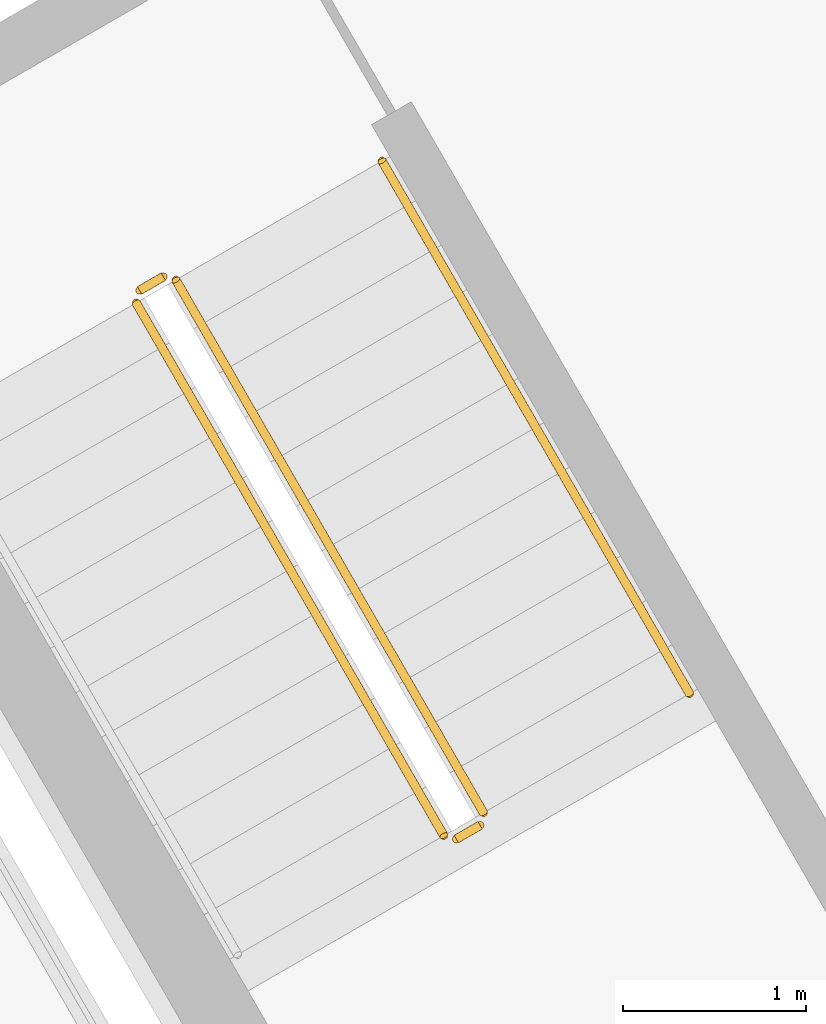
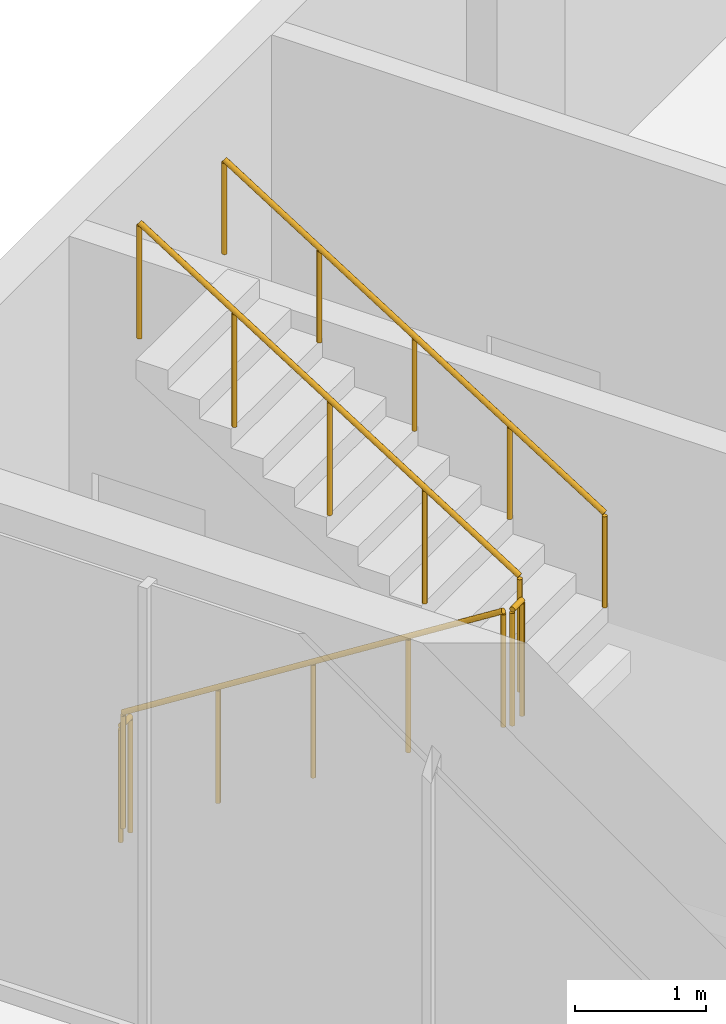
# One storey, part 26 of 29: 5 railings.
"""IFC4 building model written with IfcOpenShell, lengths in metres."""

from ifc_helpers import new_model, si_unit, direction, frame, origin, origin_2d, place, context, subcontext, project, spatial, circle, extrude, material, type_object, element, save


model = new_model("IFC4")

# Units and contexts
model_context = context("Model", 3, precision=1e-05, world=origin(), true_north=direction((0.0, 1.0)))
body_context = subcontext(model_context, "Body", "Model", "MODEL_VIEW")
ifc_project = project(units=[si_unit("LENGTHUNIT", "METRE"), si_unit("AREAUNIT", "SQUARE_METRE"), si_unit("VOLUMEUNIT", "CUBIC_METRE"), si_unit("PLANEANGLEUNIT", "RADIAN"), si_unit("MASSUNIT", "GRAM", prefix="KILO")], contexts=[model_context])

# Site, building, storey
site_placement = place(None, origin())
site = spatial("IfcSite", under=ifc_project, at=site_placement, CompositionType="ELEMENT")
building_placement = place(site_placement, origin())
building = spatial("IfcBuilding", under=site, at=building_placement, Name="Firuza Gate Tower and Library", CompositionType="ELEMENT")
storey_placement = place(building_placement, frame((0.0, 0.0, 17.199951171875)))
storey = spatial("IfcBuildingStorey", under=building, at=storey_placement, Name="L03", CompositionType="ELEMENT", Elevation=17.199951171875)

# Railings
ifc_material_1 = material(Name="Steel S355", Category="steel")
railing_type_1 = type_object("IfcRailingType", Name="LIB GUARD", PredefinedType="GUARDRAIL", material=ifc_material_1)
railing_1_placement = place(storey_placement, frame((82.298583984375, 108.427734375, 0.177001953125)))
element("IfcRailing", 1, at=railing_1_placement, inside=storey, type_object=railing_type_1, Name="L03 LIB-ST-A stair guard 1", PredefinedType="GUARDRAIL", context=body_context, shape_type="SweptSolid", body=[
    extrude(circle(Radius=0.02392578125, at=origin_2d()), frame((0.0, 0.0, 1.076171875), z_axis=(0.422671638265, -0.732135337376, 0.534159652137), x_axis=(0.866039179741, 0.499976138585, 0.0)), (0.0, 0.0, 1.0), 3.974609375),
    extrude(circle(Radius=0.02099609375, at=origin_2d()), origin(), (0.0, 0.0, 1.0), 1.052001953125),
    extrude(circle(Radius=0.02099609375, at=origin_2d()), frame((0.419921875, -0.7275390625, 0.53076171875)), (0.0, 0.0, 1.0), 1.052001953125),
    extrude(circle(Radius=0.02099609375, at=origin_2d()), frame((0.83984375, -1.455078125, 1.0615234375)), (0.0, 0.0, 1.0), 1.052001953125),
    extrude(circle(Radius=0.02099609375, at=origin_2d()), frame((1.260009765625, -2.182373046875, 1.59228515625)), (0.0, 0.0, 1.0), 1.052001953125),
    extrude(circle(Radius=0.02099609375, at=origin_2d()), frame((1.679931640625, -2.909912109375, 2.123046875)), (0.0, 0.0, 1.0), 1.052001953125),
])
railing_2_placement = place(storey_placement, frame((84.046875, 105.49951171875, 2.300048828125)))
element("IfcRailing", 2, at=railing_2_placement, inside=storey, type_object=railing_type_1, Name="L03 LIB-ST-A stair guard 2", PredefinedType="GUARDRAIL", context=body_context, shape_type="SweptSolid", body=[
    extrude(circle(Radius=0.02392578125, at=origin_2d()), frame((0.0, 0.0, 1.076171875), z_axis=(0.865426285481, 0.501036270542, 0.0), x_axis=(-0.501036270542, 0.865426285481, 0.0)), (0.0, 0.0, 1.0), 0.150146484375),
    extrude(circle(Radius=0.02099609375, at=origin_2d()), origin(), (0.0, 0.0, 1.0), 1.052001953125),
    extrude(circle(Radius=0.02099609375, at=origin_2d()), frame((0.1298828125, 0.0751953125, 0.0)), (0.0, 0.0, 1.0), 1.052001953125),
])
railing_3_placement = place(storey_placement, frame((84.195068359375, 105.642822265625, 2.47705078125)))
element("IfcRailing", 3, at=railing_3_placement, inside=storey, type_object=railing_type_1, Name="L03 LIB-ST-A stair guard 3", PredefinedType="GUARDRAIL", context=body_context, shape_type="SweptSolid", body=[
    extrude(circle(Radius=0.02392578125, at=origin_2d()), frame((0.0, 0.0, 1.076171875), z_axis=(-0.422671638265, 0.732135337376, 0.534159652137), x_axis=(-0.866039179741, -0.499976138585, 0.0)), (0.0, 0.0, 1.0), 3.974609375),
    extrude(circle(Radius=0.02099609375, at=origin_2d()), origin(), (0.0, 0.0, 1.0), 1.052001953125),
    extrude(circle(Radius=0.02099609375, at=origin_2d()), frame((-0.419921875, 0.7275390625, 0.53076171875)), (0.0, 0.0, 1.0), 1.052001953125),
    extrude(circle(Radius=0.02099609375, at=origin_2d()), frame((-0.83984375, 1.455078125, 1.0615234375)), (0.0, 0.0, 1.0), 1.052001953125),
    extrude(circle(Radius=0.02099609375, at=origin_2d()), frame((-1.260009765625, 2.182373046875, 1.59228515625)), (0.0, 0.0, 1.0), 1.052001953125),
    extrude(circle(Radius=0.02099609375, at=origin_2d()), frame((-1.679931640625, 2.909912109375, 2.123046875)), (0.0, 0.0, 1.0), 1.052001953125),
])
railing_4_placement = place(storey_placement, frame((82.31689453125, 108.49609375, 0.0)))
element("IfcRailing", 4, at=railing_4_placement, inside=storey, type_object=railing_type_1, Name="L03 LIB-ST-A stair guard 4", PredefinedType="GUARDRAIL", context=body_context, shape_type="SweptSolid", body=[
    extrude(circle(Radius=0.02392578125, at=origin_2d()), frame((0.0, 0.0, 1.076171875), z_axis=(0.866131372301, 0.499816412211, 0.0), x_axis=(-0.499816412211, 0.866131372301, 0.0)), (0.0, 0.0, 1.0), 0.14990234375),
    extrude(circle(Radius=0.02099609375, at=origin_2d()), origin(), (0.0, 0.0, 1.0), 1.052001953125),
    extrude(circle(Radius=0.02099609375, at=origin_2d()), frame((0.1298828125, 0.074951171875, 0.0)), (0.0, 0.0, 1.0), 1.052001953125),
])
ifc_material_2 = material(Name="Steel S355", Category="steel")
railing_type_2 = type_object("IfcRailingType", Name="LIB HANDRAIL", PredefinedType="HANDRAIL", material=ifc_material_2)
railing_5_placement = place(storey_placement, frame((85.32080078125, 106.29296875, 2.47705078125)))
element("IfcRailing", 5, at=railing_5_placement, inside=storey, type_object=railing_type_2, Name="L03 LIB-ST-A stair handrail 2", PredefinedType="HANDRAIL", context=body_context, shape_type="SweptSolid", body=[
    extrude(circle(Radius=0.02392578125, at=origin_2d()), frame((0.0, 0.0, 0.8759765625), z_axis=(-0.422671638265, 0.732135337376, 0.534159652137), x_axis=(-0.866039179741, -0.499976138585, 0.0)), (0.0, 0.0, 1.0), 3.974609375),
    extrude(circle(Radius=0.02099609375, at=origin_2d()), origin(), (0.0, 0.0, 1.0), 0.851806640625),
    extrude(circle(Radius=0.02099609375, at=origin_2d()), frame((-0.419921875, 0.7275390625, 0.53076171875)), (0.0, 0.0, 1.0), 0.851806640625),
    extrude(circle(Radius=0.02099609375, at=origin_2d()), frame((-0.83984375, 1.455078125, 1.0615234375)), (0.0, 0.0, 1.0), 0.851806640625),
    extrude(circle(Radius=0.02099609375, at=origin_2d()), frame((-1.260009765625, 2.182373046875, 1.59228515625)), (0.0, 0.0, 1.0), 0.851806640625),
    extrude(circle(Radius=0.02099609375, at=origin_2d()), frame((-1.679931640625, 2.909912109375, 2.123046875)), (0.0, 0.0, 1.0), 0.851806640625),
])

save(model, "model.ifc")
